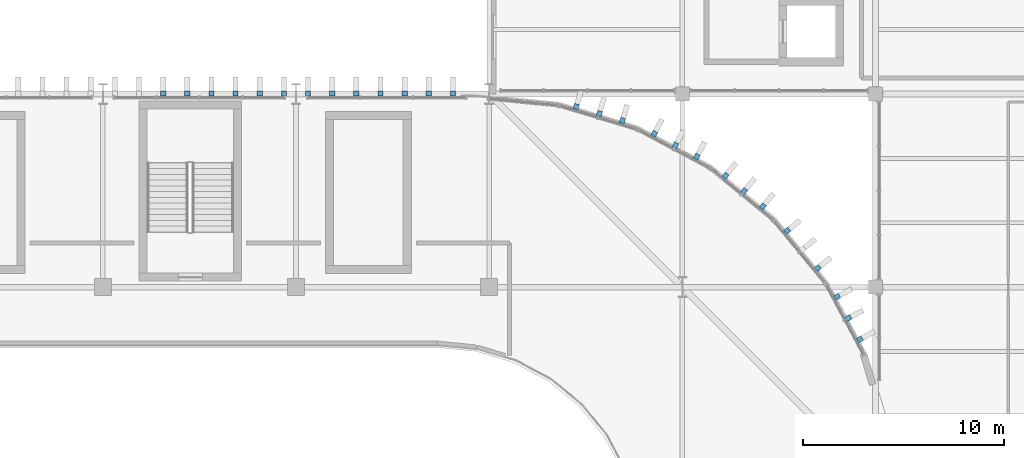
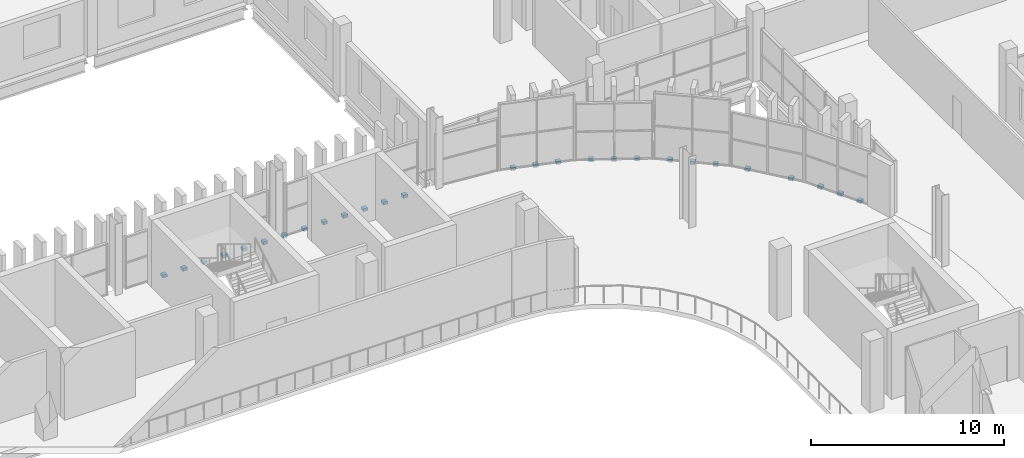
# One storey, part 72 of 92: 27 discrete accessories.
"""IFC4 building model written with IfcOpenShell, lengths in metres."""

from ifc_helpers import new_model, si_unit, direction, frame, origin, origin_2d, place, context, subcontext, project, spatial, rectangle, extrude, material, type_object, element, save


model = new_model("IFC4")

# Units and contexts
model_context = context("Model", 3, precision=1e-05, world=origin(), true_north=direction((0.0, 1.0)))
body_context = subcontext(model_context, "Body", "Model", "MODEL_VIEW")
ifc_project = project(units=[si_unit("LENGTHUNIT", "METRE"), si_unit("AREAUNIT", "SQUARE_METRE"), si_unit("VOLUMEUNIT", "CUBIC_METRE"), si_unit("PLANEANGLEUNIT", "RADIAN"), si_unit("MASSUNIT", "GRAM", prefix="KILO")], contexts=[model_context])

# Site, building, storey
site_placement = place(None, origin())
site = spatial("IfcSite", under=ifc_project, at=site_placement, CompositionType="ELEMENT")
building_placement = place(site_placement, origin())
building = spatial("IfcBuilding", under=site, at=building_placement, Name="Caelomonte Colonnade Arena", CompositionType="ELEMENT")
storey_placement = place(building_placement, frame((0.0, 0.0, 9.60009765625)))
storey = spatial("IfcBuildingStorey", under=building, at=storey_placement, Name="L02", CompositionType="ELEMENT", Elevation=9.60009765625)

# Discrete accessories
ifc_material = material(Name="Steel ASTM A572 Grade 50", Category="steel")
discrete_accessory_type = type_object("IfcDiscreteAccessoryType", Name="ENV-ACC-BRK", PredefinedType="BRACKET", material=ifc_material)
for number, where, z_axis, x_axis, name in (
    (1, (162.42333984375, 103.007568359375, -0.2099609375), (0.0, 0.0, 1.0), (-0.471396736826, 0.881921264348, 0.0), "V1 L02 fin support bracket 75"),
    (2, (161.857666015625, 104.06591796875, -0.2099609375), (0.0, 0.0, 1.0), (-0.471396736826, 0.881921264348, 0.0), "V1 L02 fin support bracket 76"),
    (3, (161.2919921875, 105.1240234375, -0.2099609375), (0.0, 0.0, 1.0), (-0.471396736826, 0.881921264348, 0.0), "V1 L02 fin support bracket 77"),
    (4, (160.339599609375, 106.549560546875, -0.2099609375), (0.0, 0.0, 1.0), (-0.634413521313, 0.77299384472, 0.0), "V1 L02 fin support bracket 78"),
    (5, (158.81689453125, 108.40478515625, -0.2099609375), (0.0, 0.0, 1.0), (-0.634413521313, 0.77299384472, 0.0), "V1 L02 fin support bracket 80"),
    (6, (157.604736328125, 109.616943359375, -0.2099609375), (0.0, 0.0, 1.0), (-0.77299384472, 0.634413521313, 0.0), "V1 L02 fin support bracket 81"),
    (7, (156.677001953125, 110.378173828125, -0.2099609375), (0.0, 0.0, 1.0), (-0.77299384472, 0.634413521313, 0.0), "V1 L02 fin support bracket 82"),
    (8, (155.74951171875, 111.139404296875, -0.2099609375), (0.0, 0.0, 1.0), (-0.77299384472, 0.634413521313, 0.0), "V1 L02 fin support bracket 83"),
    (9, (154.32421875, 112.092041015625, -0.2099609375), (0.0, 0.0, 1.0), (-0.881921264348, 0.471396736826, 0.0), "V1 L02 fin support bracket 84"),
    (10, (153.265869140625, 112.65771484375, -0.2099609375), (0.0, 0.0, 1.0), (-0.881921264348, 0.471396736826, 0.0), "V1 L02 fin support bracket 85"),
    (11, (152.20751953125, 113.223388671875, -0.2099609375), (0.0, 0.0, 1.0), (-0.881921264348, 0.471396736826, 0.0), "V1 L02 fin support bracket 86"),
    (12, (150.623779296875, 113.87939453125, -0.2099609375), (0.0, 0.0, 1.0), (-0.956942868907, 0.290276326364, 0.0), "V1 L02 fin support bracket 87"),
    (13, (149.475341796875, 114.227783203125, -0.2099609375), (0.0, 0.0, 1.0), (-0.956942868907, 0.290276326364, 0.0), "V1 L02 fin support bracket 88"),
    (14, (148.326904296875, 114.575927734375, -0.2099609375), (0.0, 0.0, 1.0), (-0.956942868907, 0.290276326364, 0.0), "V1 L02 fin support bracket 89"),
    (15, (142.199951171875, 115.22998046875, -0.2099609375), (0.0, 0.0, 1.0), (-1.0, 0.0, 0.0), "V1 L02 fin support bracket 93"),
    (16, (141.0, 115.22998046875, -0.2099609375), (0.0, 0.0, 1.0), (-1.0, 0.0, 0.0), "V1 L02 fin support bracket 94"),
    (17, (139.800048828125, 115.22998046875, -0.2099609375), (0.0, 0.0, 1.0), (-1.0, 0.0, 0.0), "V1 L02 fin support bracket 95"),
    (18, (138.60009765625, 115.22998046875, -0.2099609375), (0.0, 0.0, 1.0), (-1.0, 0.0, 0.0), "V1 L02 fin support bracket 96"),
    (19, (137.39990234375, 115.22998046875, -0.2099609375), (0.0, 0.0, 1.0), (-1.0, 0.0, 0.0), "V1 L02 fin support bracket 97"),
    (20, (136.199951171875, 115.22998046875, -0.2099609375), (0.0, 0.0, 1.0), (-1.0, 0.0, 0.0), "V1 L02 fin support bracket 98"),
    (21, (135.0, 115.22998046875, -0.2099609375), (0.0, 0.0, 1.0), (-1.0, 0.0, 0.0), "V1 L02 fin support bracket 99"),
    (22, (133.800048828125, 115.22998046875, -0.2099609375), (0.0, 0.0, 1.0), (-1.0, 0.0, 0.0), "V1 L02 fin support bracket 100"),
    (23, (132.60009765625, 115.22998046875, -0.2099609375), (0.0, 0.0, 1.0), (-1.0, 0.0, 0.0), "V1 L02 fin support bracket 101"),
    (24, (131.39990234375, 115.22998046875, -0.2099609375), (0.0, 0.0, 1.0), (-1.0, 0.0, 0.0), "V1 L02 fin support bracket 102"),
    (25, (130.199951171875, 115.22998046875, -0.2099609375), (0.0, 0.0, 1.0), (-1.0, 0.0, 0.0), "V1 L02 fin support bracket 103"),
    (26, (129.0, 115.22998046875, -0.2099609375), (0.0, 0.0, 1.0), (-1.0, 0.0, 0.0), "V1 L02 fin support bracket 104"),
    (27, (127.800048828125, 115.22998046875, -0.2099609375), (0.0, 0.0, 1.0), (-1.0, 0.0, 0.0), "V1 L02 fin support bracket 105"),
):
    element("IfcDiscreteAccessory", number, at=place(storey_placement, frame(where, z_axis=z_axis, x_axis=x_axis)), inside=storey, type_object=discrete_accessory_type, Name=name, PredefinedType="BRACKET", context=body_context, shape_type="SweptSolid", body=[
        extrude(rectangle(XDim=0.260009765625, YDim=0.260009765625, at=origin_2d()), origin(), (0.0, 0.0, 1.0), 0.179931640625),
    ])

save(model, "model.ifc")
